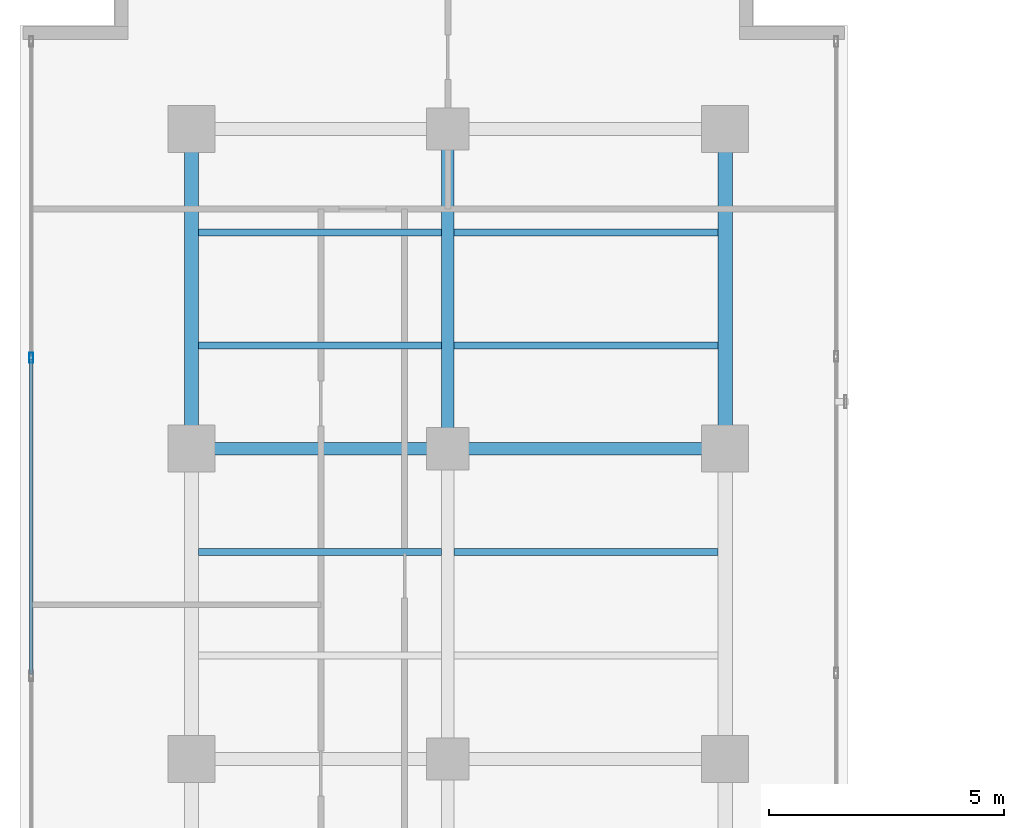
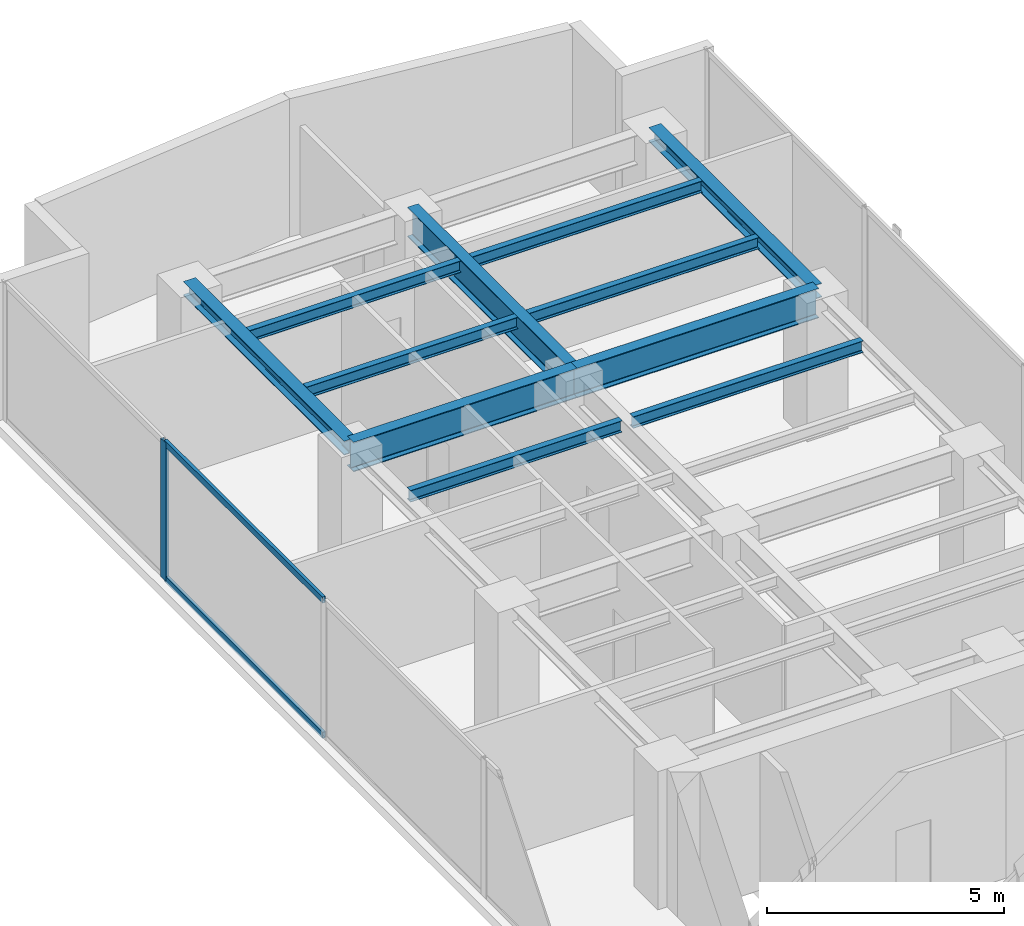
# One storey, part 13 of 22: 11 beams, 3 members, 1 element without a shape of its own.
"""IFC4 building model written with IfcOpenShell, lengths in metres."""

from ifc_helpers import new_model, si_unit, direction, frame, origin, origin_with_axes, origin_2d, place, context, subcontext, project, spatial, hollow_rectangle, i_section, extrude, source, transform, mapped, material, layer, layer_set, material_profile, profile_set, type_object, element, aggregate, save


model = new_model("IFC4")

# Units and contexts
model_context = context("Model", 3, precision=1e-05, world=origin(), true_north=direction((0.0, 1.0)))
body_context = subcontext(model_context, "Body", "Model", "MODEL_VIEW")
ifc_project = project(units=[si_unit("LENGTHUNIT", "METRE"), si_unit("AREAUNIT", "SQUARE_METRE"), si_unit("VOLUMEUNIT", "CUBIC_METRE"), si_unit("PLANEANGLEUNIT", "RADIAN"), si_unit("MASSUNIT", "GRAM", prefix="KILO")], contexts=[model_context])

# Site, building, storey
site_placement = place(None, origin())
site = spatial("IfcSite", under=ifc_project, at=site_placement, CompositionType="ELEMENT")
building_placement = place(site_placement, origin())
building = spatial("IfcBuilding", under=site, at=building_placement, Name="Kolvaren Waterfront Exchange", CompositionType="ELEMENT")
storey_placement = place(building_placement, frame((0.0, 0.0, 246.300048828125)))
storey = spatial("IfcBuildingStorey", under=building, at=storey_placement, Name="L63", CompositionType="ELEMENT", Elevation=246.300048828125)

# Beams
ifc_material_1 = material(Name="Steel S355", Category="steel")
ifc_material_profile_1 = material_profile(ifc_material_1, i_section(OverallWidth=0.300048828125, OverallDepth=0.360107421875, WebThickness=0.012451171875, FlangeThickness=0.0224609375, FilletRadius=0.027099609375, at=origin_2d()), Name="HEB360")
ifc_profile_set_1 = profile_set([ifc_material_profile_1], Name="Steel S355")
beam_type_1 = type_object("IfcBeamType", Name="STR-BM-HEB360", PredefinedType="SPANDREL", material=ifc_profile_set_1)
for number, where, z_axis, x_axis, name in (
    (1, (7.449951171875, 37.800048828125, 3.3798828125), (0.0, 1.0, 0.0), (-1.0, 0.0, 0.0), "L63 north-arm edge beam 3"),
    (2, (18.800048828125, 37.800048828125, 3.3798828125), (0.0, 1.0, 0.0), (-1.0, 0.0, 0.0), "L63 north-arm edge beam 3"),
):
    element("IfcBeam", number, at=place(storey_placement, frame(where, z_axis=z_axis, x_axis=x_axis)), inside=storey, type_object=beam_type_1, Name=name, PredefinedType="SPANDREL", context=body_context, shape_type="SweptSolid", body=[
        extrude(i_section(OverallWidth=0.300048828125, OverallDepth=0.360107421875, WebThickness=0.012451171875, FlangeThickness=0.0224609375, FilletRadius=0.027099609375, at=origin_2d()), origin(), (0.0, 0.0, 1.0), 6.800048828125),
    ])
ifc_material_profile_2 = material_profile(ifc_material_1, i_section(OverallWidth=0.14990234375, OverallDepth=0.300048828125, WebThickness=0.007080078125, FlangeThickness=0.0107421875, FilletRadius=0.014892578125, at=origin_2d()), Name="IPE300")
ifc_profile_set_2 = profile_set([ifc_material_profile_2], Name="Steel S355")
beam_type_2 = type_object("IfcBeamType", Name="STR-BM-IPE300", PredefinedType="JOIST", material=ifc_profile_set_2)
beam_1_placement = place(storey_placement, frame((7.60205078125, 35.60009765625, 3.409912109375), z_axis=(1.0, 0.0, 0.0), x_axis=(0.0, 1.0, 0.0)))
element("IfcBeam", 3, at=beam_1_placement, inside=storey, type_object=beam_type_2, Name="L63 north-arm composite joist 4A", PredefinedType="JOIST", context=body_context, shape_type="SweptSolid", body=[
    extrude(i_section(OverallWidth=0.14990234375, OverallDepth=0.300048828125, WebThickness=0.007080078125, FlangeThickness=0.0107421875, FilletRadius=0.014892578125, at=origin_2d()), origin(), (0.0, 0.0, 1.0), 5.162353515625),
])
beam_2_placement = place(storey_placement, frame((13.035400390625, 35.60009765625, 3.409912109375), z_axis=(1.0, 0.0, 0.0), x_axis=(0.0, 1.0, 0.0)))
element("IfcBeam", 4, at=beam_2_placement, inside=storey, type_object=beam_type_2, Name="L63 north-arm composite joist 4B", PredefinedType="JOIST", context=body_context, shape_type="SweptSolid", body=[
    extrude(i_section(OverallWidth=0.14990234375, OverallDepth=0.300048828125, WebThickness=0.007080078125, FlangeThickness=0.0107421875, FilletRadius=0.014892578125, at=origin_2d()), origin(), (0.0, 0.0, 1.0), 5.612548828125),
])
beam_3_placement = place(storey_placement, frame((7.60205078125, 40.0, 3.409912109375), z_axis=(1.0, 0.0, 0.0), x_axis=(0.0, 1.0, 0.0)))
element("IfcBeam", 5, at=beam_3_placement, inside=storey, type_object=beam_type_2, Name="L63 north-arm composite joist 5A", PredefinedType="JOIST", context=body_context, shape_type="SweptSolid", body=[
    extrude(i_section(OverallWidth=0.14990234375, OverallDepth=0.300048828125, WebThickness=0.007080078125, FlangeThickness=0.0107421875, FilletRadius=0.014892578125, at=origin_2d()), origin(), (0.0, 0.0, 1.0), 5.162353515625),
])
beam_4_placement = place(storey_placement, frame((13.035400390625, 40.0, 3.409912109375), z_axis=(1.0, 0.0, 0.0), x_axis=(0.0, 1.0, 0.0)))
element("IfcBeam", 6, at=beam_4_placement, inside=storey, type_object=beam_type_2, Name="L63 north-arm composite joist 5B", PredefinedType="JOIST", context=body_context, shape_type="SweptSolid", body=[
    extrude(i_section(OverallWidth=0.14990234375, OverallDepth=0.300048828125, WebThickness=0.007080078125, FlangeThickness=0.0107421875, FilletRadius=0.014892578125, at=origin_2d()), origin(), (0.0, 0.0, 1.0), 5.612548828125),
])
beam_5_placement = place(storey_placement, frame((7.60205078125, 42.39990234375, 3.409912109375), z_axis=(1.0, 0.0, 0.0), x_axis=(0.0, 1.0, 0.0)))
element("IfcBeam", 7, at=beam_5_placement, inside=storey, type_object=beam_type_2, Name="L63 north-arm composite joist 6A", PredefinedType="JOIST", context=body_context, shape_type="SweptSolid", body=[
    extrude(i_section(OverallWidth=0.14990234375, OverallDepth=0.300048828125, WebThickness=0.007080078125, FlangeThickness=0.0107421875, FilletRadius=0.014892578125, at=origin_2d()), origin(), (0.0, 0.0, 1.0), 5.162353515625),
])
beam_6_placement = place(storey_placement, frame((13.035400390625, 42.39990234375, 3.409912109375), z_axis=(1.0, 0.0, 0.0), x_axis=(0.0, 1.0, 0.0)))
element("IfcBeam", 8, at=beam_6_placement, inside=storey, type_object=beam_type_2, Name="L63 north-arm composite joist 6B", PredefinedType="JOIST", context=body_context, shape_type="SweptSolid", body=[
    extrude(i_section(OverallWidth=0.14990234375, OverallDepth=0.300048828125, WebThickness=0.007080078125, FlangeThickness=0.0107421875, FilletRadius=0.014892578125, at=origin_2d()), origin(), (0.0, 0.0, 1.0), 5.612548828125),
])
ifc_material_profile_3 = material_profile(ifc_material_1, i_section(OverallWidth=0.26708984375, OverallDepth=0.761962890625, WebThickness=0.014404296875, FlangeThickness=0.021484375, FilletRadius=0.01708984375, at=origin_2d()), Name="IPE750x173")
ifc_profile_set_3 = profile_set([ifc_material_profile_3], Name="Steel S355")
beam_type_3 = type_object("IfcBeamType", Name="STR-BM-IPE750", PredefinedType="BEAM", material=ifc_profile_set_3)
beam_7_placement = place(storey_placement, frame((7.449951171875, 37.800048828125, 3.178955078125), z_axis=(1.0, 0.0, 0.0), x_axis=(0.0, 1.0, 0.0)))
element("IfcBeam", 9, at=beam_7_placement, inside=storey, type_object=beam_type_3, Name="L63 north-arm girder 3A", PredefinedType="BEAM", context=body_context, shape_type="SweptSolid", body=[
    extrude(i_section(OverallWidth=0.26708984375, OverallDepth=0.761962890625, WebThickness=0.014404296875, FlangeThickness=0.021484375, FilletRadius=0.01708984375, at=origin_2d()), origin(), (0.0, 0.0, 1.0), 5.449951171875),
])
beam_8_placement = place(storey_placement, frame((12.89990234375, 37.800048828125, 3.178955078125), z_axis=(1.0, 0.0, 0.0), x_axis=(0.0, 1.0, 0.0)))
element("IfcBeam", 10, at=beam_8_placement, inside=storey, type_object=beam_type_3, Name="L63 north-arm girder 3B", PredefinedType="BEAM", context=body_context, shape_type="SweptSolid", body=[
    extrude(i_section(OverallWidth=0.26708984375, OverallDepth=0.761962890625, WebThickness=0.014404296875, FlangeThickness=0.021484375, FilletRadius=0.01708984375, at=origin_2d()), origin(), (0.0, 0.0, 1.0), 5.900146484375),
])
beam_9_placement = place(storey_placement, frame((12.89990234375, 37.800048828125, 3.178955078125), z_axis=(0.0, 1.0, 0.0), x_axis=(-1.0, 0.0, 0.0)))
element("IfcBeam", 11, at=beam_9_placement, inside=storey, type_object=beam_type_3, Name="L63 north-arm edge beam 3", PredefinedType="BEAM", context=body_context, shape_type="SweptSolid", body=[
    extrude(i_section(OverallWidth=0.26708984375, OverallDepth=0.761962890625, WebThickness=0.014404296875, FlangeThickness=0.021484375, FilletRadius=0.01708984375, at=origin_2d()), origin(), (0.0, 0.0, 1.0), 6.800048828125),
])

# Curtain wall, members
ifc_material_2 = material(Name="Anodised aluminium 6063-T6", Category="aluminium")
ifc_layer = layer(ifc_material_2, 0.219970703125, Name="Anodised aluminium 6063-T6")
ifc_layer_set = layer_set([ifc_layer], Name="Anodised aluminium 6063-T6")
curtain_wall_type = type_object("IfcCurtainWallType", Name="ARC-CW-SYS2", PredefinedType="USERDEFINED", material=ifc_layer_set)
curtain_wall_placement = place(storey_placement, origin())
curtain_wall = element("IfcCurtainWall", 12, at=curtain_wall_placement, inside=storey, type_object=curtain_wall_type, Name="L63 stick curtain wall CW2 (CW-L63-W)", ObjectType="STICK CURTAIN WALL", PredefinedType="USERDEFINED")
ifc_material_profile_4 = material_profile(ifc_material_2, hollow_rectangle(XDim=0.080078125, YDim=0.219970703125, WallThickness=0.0048828125, at=origin_2d()), Name="ALU-MUL-220x80x5")
ifc_profile_set_4 = profile_set([ifc_material_profile_4], Name="Anodised aluminium 6063-T6")
member_type_1 = type_object("IfcMemberType", Name="ARC-CWM-220", PredefinedType="MULLION", material=ifc_profile_set_4)
shared_shape_1 = source(origin_with_axes(), body_context, "Body", "SweptSolid", [
    extrude(hollow_rectangle(XDim=0.080078125, YDim=0.219970703125, WallThickness=0.0048828125, at=origin_2d()), origin(), (0.0, 0.0, 1.0), 3.56005859375),
])
member_1_placement = place(storey_placement, frame((4.0400390625, 39.7333984375, 0.0), z_axis=(0.0, 0.0, 1.0), x_axis=(-1.0, 0.0, 0.0)))
member_1 = element("IfcMember", 13, at=member_1_placement, type_object=member_type_1, Name="CW2 mullion 6", PredefinedType="MULLION", context=body_context, shape_type="MappedRepresentation", body=[
    mapped(shared_shape_1, transform((0.0, 0.0, 0.0), x_axis=(1.0, 0.0, 0.0), y_axis=(0.0, 1.0, 0.0), z_axis=(0.0, 0.0, 1.0), scale=1.0)),
])
ifc_material_profile_5 = material_profile(ifc_material_2, hollow_rectangle(XDim=0.074951171875, YDim=0.159912109375, WallThickness=0.00439453125, at=origin_2d()), Name="ALU-TRN-160x75x4.5")
ifc_profile_set_5 = profile_set([ifc_material_profile_5], Name="Anodised aluminium 6063-T6")
member_type_2 = type_object("IfcMemberType", Name="ARC-CWT-160", PredefinedType="USERDEFINED", material=ifc_profile_set_5)
shared_shape_2 = source(origin_with_axes(), body_context, "Body", "SweptSolid", [
    extrude(hollow_rectangle(XDim=0.074951171875, YDim=0.159912109375, WallThickness=0.00439453125, at=origin_2d()), origin(), (0.0, 0.0, 1.0), 6.686767578125),
])
member_2_placement = place(storey_placement, frame((4.0400390625, 33.006591796875, 0.037353515625), z_axis=(0.0, 1.0, 0.0), x_axis=(-1.0, 0.0, 0.0)))
member_2 = element("IfcMember", 14, at=member_2_placement, type_object=member_type_2, Name="CW2 transom 5.1", ObjectType="TRANSOM", PredefinedType="USERDEFINED", context=body_context, shape_type="MappedRepresentation", body=[
    mapped(shared_shape_2, transform((0.0, 0.0, 0.0), x_axis=(1.0, 0.0, 0.0), y_axis=(0.0, 1.0, 0.0), z_axis=(0.0, 0.0, 1.0), scale=1.0)),
])
member_3_placement = place(storey_placement, frame((4.0400390625, 33.006591796875, 3.5224609375), z_axis=(0.0, 1.0, 0.0), x_axis=(-1.0, 0.0, 0.0)))
member_3 = element("IfcMember", 15, at=member_3_placement, type_object=member_type_2, Name="CW2 transom 5.2", ObjectType="TRANSOM", PredefinedType="USERDEFINED", context=body_context, shape_type="MappedRepresentation", body=[
    mapped(shared_shape_2, transform((0.0, 0.0, 0.0), x_axis=(1.0, 0.0, 0.0), y_axis=(0.0, 1.0, 0.0), z_axis=(0.0, 0.0, 1.0), scale=1.0)),
])
aggregate(curtain_wall, [member_1, member_2, member_3])

save(model, "model.ifc")
